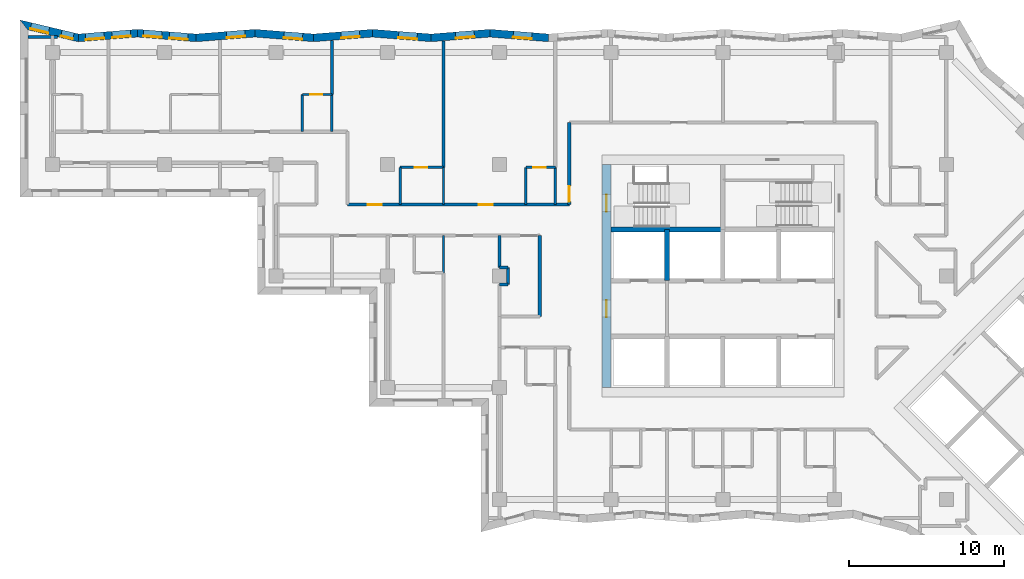
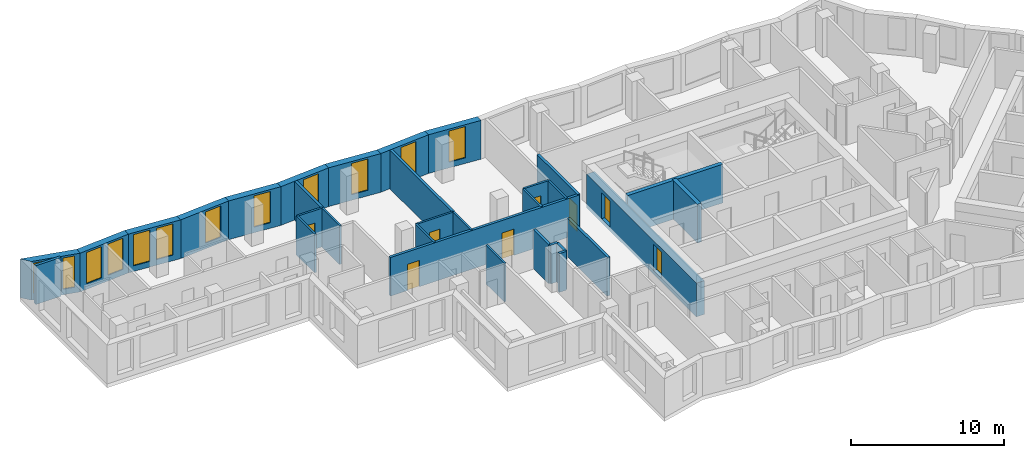
# One storey, part 5 of 12: 32 walls, 12 windows, 8 doors, 20 openings.
"""IFC4 building model written with IfcOpenShell, lengths in metres."""

from ifc_helpers import new_model, si_unit, direction, frame, frame_2d, origin, place, context, subcontext, project, spatial, polyline, rectangle, outline, extrude, material, layer, layer_set, type_object, element, fill, save


model = new_model("IFC4")

# Units and contexts
model_context = context("Model", 3, precision=1e-05, world=origin(), true_north=direction((0.0, 1.0)))
body_context = subcontext(model_context, "Body", "Model", "MODEL_VIEW")
ifc_project = project(units=[si_unit("LENGTHUNIT", "METRE"), si_unit("AREAUNIT", "SQUARE_METRE"), si_unit("VOLUMEUNIT", "CUBIC_METRE"), si_unit("PLANEANGLEUNIT", "RADIAN"), si_unit("MASSUNIT", "GRAM", prefix="KILO")], contexts=[model_context])

# Site, building, storey
site_placement = place(None, origin())
site = spatial("IfcSite", under=ifc_project, at=site_placement, CompositionType="ELEMENT")
building_placement = place(site_placement, origin())
building = spatial("IfcBuilding", under=site, at=building_placement, Name="Windrow Commons", CompositionType="ELEMENT")
storey_placement = place(building_placement, frame((0.0, 0.0, 135.4)))
storey = spatial("IfcBuildingStorey", under=building, at=storey_placement, Name="L36", CompositionType="ELEMENT", Elevation=135.4)

# Wall, opening, window
ifc_material_1 = material(Name="Brick masonry, red clay brick", Category="masonry")
ifc_layer_1 = layer(ifc_material_1, 0.5)
ifc_layer_set_1 = layer_set([ifc_layer_1], Name="Brick facade wall 500")
wall_type_1 = type_object("IfcWallType", Name="Brick facade wall 500", PredefinedType="SOLIDWALL", material=ifc_layer_set_1)
wall_1_placement = place(storey_placement, frame((53.5706, 72.9492, 0.0), z_axis=(0.0, 0.0, 1.0), x_axis=(-0.9968747806, 0.0789979222, 0.0)))
wall_1 = element("IfcWall", 1, at=wall_1_placement, inside=storey, type_object=wall_type_1, Name="Brick facade wall L36 26", PredefinedType="SOLIDWALL", context=body_context, shape_type="SweptSolid", body=[
    extrude(outline(polyline([(0.0198, -0.25), (3.8173, -0.25), (3.7777, 0.25), (-0.0198, 0.25), (0.0198, -0.25)])), origin(), (0.0, 0.0, 1.0), 3.1),
])
opening_1_placement = place(wall_1_placement, frame((1.0903, 0.0, 0.45)))
opening_1 = element("IfcOpeningElement", 2, at=opening_1_placement, cuts=wall_1, Name="Opening W7E", PredefinedType="OPENING", context=body_context, shape_type="SweptSolid", body=[
    extrude(rectangle(XDim=1.2, YDim=2.5, at=frame_2d((0.6, 1.25))), frame((0.0, 0.26, 0.0), z_axis=(0.0, -1.0, 0.0), x_axis=(1.0, 0.0, 0.0)), (0.0, 0.0, 1.0), 0.52),
])
ifc_material_2 = material(Name="Clear float glass in anodised aluminium frame", Category="aluminium")
window_type_1 = type_object("IfcWindowType", Name="Window W7 notch 1200x2500", PartitioningType="SINGLE_PANEL", PredefinedType="WINDOW", material=ifc_material_2)
window_1_placement = place(opening_1_placement, origin())
window_1 = element("IfcWindow", 3, at=window_1_placement, inside=storey, type_object=window_type_1, Name="Window L36 26.1", OverallHeight=2.5, OverallWidth=1.2, PartitioningType="SINGLE_PANEL", PredefinedType="WINDOW", context=body_context, shape_type="SweptSolid", body=[
    extrude(rectangle(XDim=1.2, YDim=2.5, at=frame_2d((0.6, 1.25))), frame((0.0, 0.18, 0.0), z_axis=(0.0, -1.0, 0.0), x_axis=(1.0, 0.0, 0.0)), (0.0, 0.0, 1.0), 0.06),
])
fill(opening_1, window_1)

wall_2_placement = place(storey_placement, frame((49.7849, 73.2492, 0.0), z_axis=(0.0, 0.0, 1.0), x_axis=(-0.9968746163, -0.078999996, 0.0)))
wall_2 = element("IfcWall", 4, at=wall_2_placement, inside=storey, type_object=wall_type_1, Name="Brick facade wall L36 27", PredefinedType="SOLIDWALL", context=body_context, shape_type="SweptSolid", body=[
    extrude(outline(polyline([(-0.0198, -0.25), (3.7777, -0.25), (3.8173, 0.25), (0.0198, 0.25), (-0.0198, -0.25)])), origin(), (0.0, 0.0, 1.0), 3.1),
])
opening_2_placement = place(wall_2_placement, frame((1.0071, 0.0, 0.45)))
opening_2 = element("IfcOpeningElement", 5, at=opening_2_placement, cuts=wall_2, Name="Opening W7E", PredefinedType="OPENING", context=body_context, shape_type="SweptSolid", body=[
    extrude(rectangle(XDim=1.2, YDim=2.5, at=frame_2d((0.6, 1.25))), frame((0.0, 0.26, 0.0), z_axis=(0.0, -1.0, 0.0), x_axis=(1.0, 0.0, 0.0)), (0.0, 0.0, 1.0), 0.52),
])
window_2_placement = place(opening_2_placement, origin())
window_2 = element("IfcWindow", 6, at=window_2_placement, inside=storey, type_object=window_type_1, Name="Window L36 27.1", OverallHeight=2.5, OverallWidth=1.2, PartitioningType="SINGLE_PANEL", PredefinedType="WINDOW", context=body_context, shape_type="SweptSolid", body=[
    extrude(rectangle(XDim=1.2, YDim=2.5, at=frame_2d((0.6, 1.25))), frame((0.0, 0.18, 0.0), z_axis=(0.0, -1.0, 0.0), x_axis=(1.0, 0.0, 0.0)), (0.0, 0.0, 1.0), 0.06),
])
fill(opening_2, window_2)

wall_3_placement = place(storey_placement, frame((45.9993, 72.9492, 0.0), z_axis=(0.0, 0.0, 1.0), x_axis=(-0.9968746163, 0.078999996, 0.0)))
wall_3 = element("IfcWall", 7, at=wall_3_placement, inside=storey, type_object=wall_type_1, Name="Brick facade wall L36 28", PredefinedType="SOLIDWALL", context=body_context, shape_type="SweptSolid", body=[
    extrude(outline(polyline([(0.0198, -0.25), (3.8173, -0.25), (3.7777, 0.25), (-0.0198, 0.25), (0.0198, -0.25)])), origin(), (0.0, 0.0, 1.0), 3.1),
])
opening_3_placement = place(wall_3_placement, frame((0.9041, 0.0, 0.45)))
opening_3 = element("IfcOpeningElement", 8, at=opening_3_placement, cuts=wall_3, Name="Opening W7E", PredefinedType="OPENING", context=body_context, shape_type="SweptSolid", body=[
    extrude(rectangle(XDim=1.2, YDim=2.5, at=frame_2d((0.6, 1.25))), frame((0.0, 0.26, 0.0), z_axis=(0.0, -1.0, 0.0), x_axis=(1.0, 0.0, 0.0)), (0.0, 0.0, 1.0), 0.52),
])
window_3_placement = place(opening_3_placement, origin())
window_3 = element("IfcWindow", 9, at=window_3_placement, inside=storey, type_object=window_type_1, Name="Window L36 28.1", OverallHeight=2.5, OverallWidth=1.2, PartitioningType="SINGLE_PANEL", PredefinedType="WINDOW", context=body_context, shape_type="SweptSolid", body=[
    extrude(rectangle(XDim=1.2, YDim=2.5, at=frame_2d((0.6, 1.25))), frame((0.0, 0.18, 0.0), z_axis=(0.0, -1.0, 0.0), x_axis=(1.0, 0.0, 0.0)), (0.0, 0.0, 1.0), 0.06),
])
fill(opening_3, window_3)

wall_4_placement = place(storey_placement, frame((42.2137, 73.2492, 0.0), z_axis=(0.0, 0.0, 1.0), x_axis=(-0.9968746163, -0.078999996, 0.0)))
wall_4 = element("IfcWall", 10, at=wall_4_placement, inside=storey, type_object=wall_type_1, Name="Brick facade wall L36 29", PredefinedType="SOLIDWALL", context=body_context, shape_type="SweptSolid", body=[
    extrude(outline(polyline([(-0.0198, -0.25), (3.7777, -0.25), (3.8173, 0.25), (0.0198, 0.25), (-0.0198, -0.25)])), origin(), (0.0, 0.0, 1.0), 3.1),
])
opening_4_placement = place(wall_4_placement, frame((0.8209, 0.0, 0.45)))
opening_4 = element("IfcOpeningElement", 11, at=opening_4_placement, cuts=wall_4, Name="Opening W7E", PredefinedType="OPENING", context=body_context, shape_type="SweptSolid", body=[
    extrude(rectangle(XDim=1.2, YDim=2.5, at=frame_2d((0.6, 1.25))), frame((0.0, 0.26, 0.0), z_axis=(0.0, -1.0, 0.0), x_axis=(1.0, 0.0, 0.0)), (0.0, 0.0, 1.0), 0.52),
])
window_4_placement = place(opening_4_placement, origin())
window_4 = element("IfcWindow", 12, at=window_4_placement, inside=storey, type_object=window_type_1, Name="Window L36 29.1", OverallHeight=2.5, OverallWidth=1.2, PartitioningType="SINGLE_PANEL", PredefinedType="WINDOW", context=body_context, shape_type="SweptSolid", body=[
    extrude(rectangle(XDim=1.2, YDim=2.5, at=frame_2d((0.6, 1.25))), frame((0.0, 0.18, 0.0), z_axis=(0.0, -1.0, 0.0), x_axis=(1.0, 0.0, 0.0)), (0.0, 0.0, 1.0), 0.06),
])
fill(opening_4, window_4)

wall_5_placement = place(storey_placement, frame((38.4281, 72.9492, 0.0), z_axis=(0.0, 0.0, 1.0), x_axis=(-0.9968746163, 0.078999996, 0.0)))
wall_5 = element("IfcWall", 13, at=wall_5_placement, inside=storey, type_object=wall_type_1, Name="Brick facade wall L36 30", PredefinedType="SOLIDWALL", context=body_context, shape_type="SweptSolid", body=[
    extrude(outline(polyline([(0.0198, -0.25), (3.8173, -0.25), (3.7777, 0.25), (-0.0198, 0.25), (0.0198, -0.25)])), origin(), (0.0, 0.0, 1.0), 3.1),
])
opening_5_placement = place(wall_5_placement, frame((0.7179, 0.0, 0.45)))
opening_5 = element("IfcOpeningElement", 14, at=opening_5_placement, cuts=wall_5, Name="Opening W7E", PredefinedType="OPENING", context=body_context, shape_type="SweptSolid", body=[
    extrude(rectangle(XDim=1.2, YDim=2.5, at=frame_2d((0.6, 1.25))), frame((0.0, 0.26, 0.0), z_axis=(0.0, -1.0, 0.0), x_axis=(1.0, 0.0, 0.0)), (0.0, 0.0, 1.0), 0.52),
])
window_5_placement = place(opening_5_placement, origin())
window_5 = element("IfcWindow", 15, at=window_5_placement, inside=storey, type_object=window_type_1, Name="Window L36 30.1", OverallHeight=2.5, OverallWidth=1.2, PartitioningType="SINGLE_PANEL", PredefinedType="WINDOW", context=body_context, shape_type="SweptSolid", body=[
    extrude(rectangle(XDim=1.2, YDim=2.5, at=frame_2d((0.6, 1.25))), frame((0.0, 0.18, 0.0), z_axis=(0.0, -1.0, 0.0), x_axis=(1.0, 0.0, 0.0)), (0.0, 0.0, 1.0), 0.06),
])
fill(opening_5, window_5)

wall_6_placement = place(storey_placement, frame((34.6425, 73.2492, 0.0), z_axis=(0.0, 0.0, 1.0), x_axis=(-0.9968746163, -0.078999996, 0.0)))
wall_6 = element("IfcWall", 16, at=wall_6_placement, inside=storey, type_object=wall_type_1, Name="Brick facade wall L36 31", PredefinedType="SOLIDWALL", context=body_context, shape_type="SweptSolid", body=[
    extrude(outline(polyline([(-0.0198, -0.25), (3.7777, -0.25), (3.8173, 0.25), (0.0198, 0.25), (-0.0198, -0.25)])), origin(), (0.0, 0.0, 1.0), 3.1),
])
opening_6_placement = place(wall_6_placement, frame((0.6347, 0.0, 0.45)))
opening_6 = element("IfcOpeningElement", 17, at=opening_6_placement, cuts=wall_6, Name="Opening W7E", PredefinedType="OPENING", context=body_context, shape_type="SweptSolid", body=[
    extrude(rectangle(XDim=1.2, YDim=2.5, at=frame_2d((0.6, 1.25))), frame((0.0, 0.26, 0.0), z_axis=(0.0, -1.0, 0.0), x_axis=(1.0, 0.0, 0.0)), (0.0, 0.0, 1.0), 0.52),
])
window_6_placement = place(opening_6_placement, origin())
window_6 = element("IfcWindow", 18, at=window_6_placement, inside=storey, type_object=window_type_1, Name="Window L36 31.1", OverallHeight=2.5, OverallWidth=1.2, PartitioningType="SINGLE_PANEL", PredefinedType="WINDOW", context=body_context, shape_type="SweptSolid", body=[
    extrude(rectangle(XDim=1.2, YDim=2.5, at=frame_2d((0.6, 1.25))), frame((0.0, 0.18, 0.0), z_axis=(0.0, -1.0, 0.0), x_axis=(1.0, 0.0, 0.0)), (0.0, 0.0, 1.0), 0.06),
])
fill(opening_6, window_6)

# Wall, openings, windows
wall_7_placement = place(storey_placement, frame((30.8569, 72.9492, 0.0), z_axis=(0.0, 0.0, 1.0), x_axis=(-0.9968747806, 0.0789979222, 0.0)))
wall_7 = element("IfcWall", 19, at=wall_7_placement, inside=storey, type_object=wall_type_1, Name="Brick facade wall L36 32", PredefinedType="SOLIDWALL", context=body_context, shape_type="SweptSolid", body=[
    extrude(outline(polyline([(0.0198, -0.25), (3.8173, -0.25), (3.7777, 0.25), (-0.0198, 0.25), (0.0198, -0.25)])), origin(), (0.0, 0.0, 1.0), 3.1),
])
opening_7_placement = place(wall_7_placement, frame((0.5317, 0.0, 0.45)))
opening_7 = element("IfcOpeningElement", 20, at=opening_7_placement, cuts=wall_7, Name="Opening W7E", PredefinedType="OPENING", context=body_context, shape_type="SweptSolid", body=[
    extrude(rectangle(XDim=1.2, YDim=2.5, at=frame_2d((0.6, 1.25))), frame((0.0, 0.26, 0.0), z_axis=(0.0, -1.0, 0.0), x_axis=(1.0, 0.0, 0.0)), (0.0, 0.0, 1.0), 0.52),
])
opening_8_placement = place(wall_7_placement, frame((2.2205, 0.0, 0.45)))
opening_8 = element("IfcOpeningElement", 21, at=opening_8_placement, cuts=wall_7, Name="Opening W7E", PredefinedType="OPENING", context=body_context, shape_type="SweptSolid", body=[
    extrude(rectangle(XDim=1.2, YDim=2.5, at=frame_2d((0.6, 1.25))), frame((0.0, 0.26, 0.0), z_axis=(0.0, -1.0, 0.0), x_axis=(1.0, 0.0, 0.0)), (0.0, 0.0, 1.0), 0.52),
])
window_7_placement = place(opening_7_placement, origin())
window_7 = element("IfcWindow", 22, at=window_7_placement, inside=storey, type_object=window_type_1, Name="Window L36 32.1", OverallHeight=2.5, OverallWidth=1.2, PartitioningType="SINGLE_PANEL", PredefinedType="WINDOW", context=body_context, shape_type="SweptSolid", body=[
    extrude(rectangle(XDim=1.2, YDim=2.5, at=frame_2d((0.6, 1.25))), frame((0.0, 0.18, 0.0), z_axis=(0.0, -1.0, 0.0), x_axis=(1.0, 0.0, 0.0)), (0.0, 0.0, 1.0), 0.06),
])
fill(opening_7, window_7)
window_8_placement = place(opening_8_placement, origin())
window_8 = element("IfcWindow", 23, at=window_8_placement, inside=storey, type_object=window_type_1, Name="Window L36 32.2", OverallHeight=2.5, OverallWidth=1.2, PartitioningType="SINGLE_PANEL", PredefinedType="WINDOW", context=body_context, shape_type="SweptSolid", body=[
    extrude(rectangle(XDim=1.2, YDim=2.5, at=frame_2d((0.6, 1.25))), frame((0.0, 0.18, 0.0), z_axis=(0.0, -1.0, 0.0), x_axis=(1.0, 0.0, 0.0)), (0.0, 0.0, 1.0), 0.06),
])
fill(opening_8, window_8)

wall_8_placement = place(storey_placement, frame((27.0712, 73.2492, 0.0), z_axis=(0.0, 0.0, 1.0), x_axis=(-0.9968755515, -0.0789881945, 0.0)))
wall_8 = element("IfcWall", 24, at=wall_8_placement, inside=storey, type_object=wall_type_1, Name="Brick facade wall L36 33", PredefinedType="SOLIDWALL", context=body_context, shape_type="SweptSolid", body=[
    extrude(outline(polyline([(-0.0198, -0.25), (3.7777, -0.25), (3.8564, 0.25), (0.0198, 0.25), (-0.0198, -0.25)])), origin(), (0.0, 0.0, 1.0), 3.1),
])
opening_9_placement = place(wall_8_placement, frame((0.4485, 0.0, 0.45)))
opening_9 = element("IfcOpeningElement", 25, at=opening_9_placement, cuts=wall_8, Name="Opening W7E", PredefinedType="OPENING", context=body_context, shape_type="SweptSolid", body=[
    extrude(rectangle(XDim=1.2, YDim=2.5, at=frame_2d((0.6, 1.25))), frame((0.0, 0.26, 0.0), z_axis=(0.0, -1.0, 0.0), x_axis=(1.0, 0.0, 0.0)), (0.0, 0.0, 1.0), 0.52),
])
opening_10_placement = place(wall_8_placement, frame((2.1471, 0.0, 0.45)))
opening_10 = element("IfcOpeningElement", 26, at=opening_10_placement, cuts=wall_8, Name="Opening W7E", PredefinedType="OPENING", context=body_context, shape_type="SweptSolid", body=[
    extrude(rectangle(XDim=1.2, YDim=2.5, at=frame_2d((0.6, 1.25))), frame((0.0, 0.26, 0.0), z_axis=(0.0, -1.0, 0.0), x_axis=(1.0, 0.0, 0.0)), (0.0, 0.0, 1.0), 0.52),
])
window_9_placement = place(opening_9_placement, origin())
window_9 = element("IfcWindow", 27, at=window_9_placement, inside=storey, type_object=window_type_1, Name="Window L36 33.1", OverallHeight=2.5, OverallWidth=1.2, PartitioningType="SINGLE_PANEL", PredefinedType="WINDOW", context=body_context, shape_type="SweptSolid", body=[
    extrude(rectangle(XDim=1.2, YDim=2.5, at=frame_2d((0.6, 1.25))), frame((0.0, 0.18, 0.0), z_axis=(0.0, -1.0, 0.0), x_axis=(1.0, 0.0, 0.0)), (0.0, 0.0, 1.0), 0.06),
])
fill(opening_9, window_9)
window_10_placement = place(opening_10_placement, origin())
window_10 = element("IfcWindow", 28, at=window_10_placement, inside=storey, type_object=window_type_1, Name="Window L36 33.2", OverallHeight=2.5, OverallWidth=1.2, PartitioningType="SINGLE_PANEL", PredefinedType="WINDOW", context=body_context, shape_type="SweptSolid", body=[
    extrude(rectangle(XDim=1.2, YDim=2.5, at=frame_2d((0.6, 1.25))), frame((0.0, 0.18, 0.0), z_axis=(0.0, -1.0, 0.0), x_axis=(1.0, 0.0, 0.0)), (0.0, 0.0, 1.0), 0.06),
])
fill(opening_10, window_10)

wall_9_placement = place(storey_placement, frame((23.2661, 72.9477, 0.0), z_axis=(0.0, 0.0, 1.0), x_axis=(-0.9728851289, 0.2312888368, 0.0)))
wall_9 = element("IfcWall", 29, at=wall_9_placement, inside=storey, type_object=wall_type_1, Name="Brick facade wall L36 34", PredefinedType="SOLIDWALL", context=body_context, shape_type="SweptSolid", body=[
    extrude(outline(polyline([(0.0394, -0.25), (3.9305, -0.25), (3.2977, 0.25), (-0.0394, 0.25), (0.0394, -0.25)])), origin(), (0.0, 0.0, 1.0), 3.1),
])
opening_11_placement = place(wall_9_placement, frame((0.338, 0.0, 0.45)))
opening_11 = element("IfcOpeningElement", 30, at=opening_11_placement, cuts=wall_9, Name="Opening W1N", PredefinedType="OPENING", context=body_context, shape_type="SweptSolid", body=[
    extrude(rectangle(XDim=0.8, YDim=2.5, at=frame_2d((0.4, 1.25))), frame((0.0, 0.26, 0.0), z_axis=(0.0, -1.0, 0.0), x_axis=(1.0, 0.0, 0.0)), (0.0, 0.0, 1.0), 0.52),
])
opening_12_placement = place(wall_9_placement, frame((1.9586, 0.0, 0.5)))
opening_12 = element("IfcOpeningElement", 31, at=opening_12_placement, cuts=wall_9, Name="Opening W7D", PredefinedType="OPENING", context=body_context, shape_type="SweptSolid", body=[
    extrude(rectangle(XDim=1.2, YDim=2.45, at=frame_2d((0.6, 1.225))), frame((0.0, 0.26, 0.0), z_axis=(0.0, -1.0, 0.0), x_axis=(1.0, 0.0, 0.0)), (0.0, 0.0, 1.0), 0.52),
])
ifc_material_3 = material(Name="Clear float glass in anodised aluminium frame", Category="aluminium")
window_type_2 = type_object("IfcWindowType", Name="Window W1N slit 800x2500", PartitioningType="SINGLE_PANEL", PredefinedType="WINDOW", material=ifc_material_3)
window_11_placement = place(opening_11_placement, origin())
window_11 = element("IfcWindow", 32, at=window_11_placement, inside=storey, type_object=window_type_2, Name="Window L36 34.1A", OverallHeight=2.5, OverallWidth=0.8, PartitioningType="SINGLE_PANEL", PredefinedType="WINDOW", context=body_context, shape_type="SweptSolid", body=[
    extrude(rectangle(XDim=0.8, YDim=2.5, at=frame_2d((0.4, 1.25))), frame((0.0, 0.18, 0.0), z_axis=(0.0, -1.0, 0.0), x_axis=(1.0, 0.0, 0.0)), (0.0, 0.0, 1.0), 0.06),
])
fill(opening_11, window_11)
ifc_material_4 = material(Name="Clear float glass in anodised aluminium frame", Category="aluminium")
window_type_3 = type_object("IfcWindowType", Name="Window W7 notch 1200x2450", PartitioningType="SINGLE_PANEL", PredefinedType="WINDOW", material=ifc_material_4)
window_12_placement = place(opening_12_placement, origin())
window_12 = element("IfcWindow", 33, at=window_12_placement, inside=storey, type_object=window_type_3, Name="Window L36 34.1B", OverallHeight=2.45, OverallWidth=1.2, PartitioningType="SINGLE_PANEL", PredefinedType="WINDOW", context=body_context, shape_type="SweptSolid", body=[
    extrude(rectangle(XDim=1.2, YDim=2.45, at=frame_2d((0.6, 1.225))), frame((0.0, 0.18, 0.0), z_axis=(0.0, -1.0, 0.0), x_axis=(1.0, 0.0, 0.0)), (0.0, 0.0, 1.0), 0.06),
])
fill(opening_12, window_12)

# Wall, openings, doors
ifc_material_5 = material(Name="Blockwork partition", Category="masonry")
ifc_layer_2 = layer(ifc_material_5, 0.2)
ifc_layer_set_2 = layer_set([ifc_layer_2], Name="IW-CORRIDOR-200")
wall_type_2 = type_object("IfcWallType", Name="IW-CORRIDOR-200", PredefinedType="PARTITIONING", material=ifc_layer_set_2)
wall_10_placement = place(storey_placement, frame((40.602, 62.2, 0.0), z_axis=(0.0, 0.0, 1.0), x_axis=(1.0, 0.0, 0.0)))
wall_10 = element("IfcWall", 34, at=wall_10_placement, inside=storey, type_object=wall_type_2, Name="W-L36-W004", PredefinedType="PARTITIONING", context=body_context, shape_type="SweptSolid", body=[
    extrude(rectangle(XDim=14.298, YDim=0.2, at=frame_2d((7.149, 0.0))), origin(), (0.0, 0.0, 1.0), 3.1),
])
opening_13_placement = place(wall_10_placement, frame((1.3063, 0.0, 0.0)))
opening_13 = element("IfcOpeningElement", 35, at=opening_13_placement, cuts=wall_10, Name="Opening D109F", PredefinedType="OPENING", context=body_context, shape_type="SweptSolid", body=[
    extrude(rectangle(XDim=0.9, YDim=2.1, at=frame_2d((0.45, 1.05))), frame((0.0, 0.11, 0.0), z_axis=(0.0, -1.0, 0.0), x_axis=(1.0, 0.0, 0.0)), (0.0, 0.0, 1.0), 0.22),
])
opening_14_placement = place(wall_10_placement, frame((8.4546, 0.0, 0.0)))
opening_14 = element("IfcOpeningElement", 36, at=opening_14_placement, cuts=wall_10, Name="Opening D109F", PredefinedType="OPENING", context=body_context, shape_type="SweptSolid", body=[
    extrude(rectangle(XDim=0.9, YDim=2.1, at=frame_2d((0.45, 1.05))), frame((0.0, 0.11, 0.0), z_axis=(0.0, -1.0, 0.0), x_axis=(1.0, 0.0, 0.0)), (0.0, 0.0, 1.0), 0.22),
])
ifc_material_6 = material(Name="Timber door leaf", Category="wood")
door_type_1 = type_object("IfcDoorType", Name="DT-BEDROOM-900", OperationType="SINGLE_SWING_LEFT", PredefinedType="DOOR", material=ifc_material_6)
door_1_placement = place(opening_13_placement, origin())
door_1 = element("IfcDoor", 37, at=door_1_placement, inside=storey, type_object=door_type_1, Name="D-L36-D015", OperationType="SINGLE_SWING_LEFT", OverallHeight=2.1, OverallWidth=0.9, PredefinedType="DOOR", context=body_context, shape_type="SweptSolid", body=[
    extrude(rectangle(XDim=0.9, YDim=2.1, at=frame_2d((0.45, 1.05))), frame((0.0, 0.025, 0.0), z_axis=(0.0, -1.0, 0.0), x_axis=(1.0, 0.0, 0.0)), (0.0, 0.0, 1.0), 0.05),
])
fill(opening_13, door_1)
door_2_placement = place(opening_14_placement, origin())
door_2 = element("IfcDoor", 38, at=door_2_placement, inside=storey, type_object=door_type_1, Name="D-L36-D017", OperationType="SINGLE_SWING_LEFT", OverallHeight=2.1, OverallWidth=0.9, PredefinedType="DOOR", context=body_context, shape_type="SweptSolid", body=[
    extrude(rectangle(XDim=0.9, YDim=2.1, at=frame_2d((0.45, 1.05))), frame((0.0, 0.025, 0.0), z_axis=(0.0, -1.0, 0.0), x_axis=(1.0, 0.0, 0.0)), (0.0, 0.0, 1.0), 0.05),
])
fill(opening_14, door_2)

# Wall, opening, door
wall_11_placement = place(storey_placement, frame((54.9, 62.202, 0.0), z_axis=(0.0, 0.0, 1.0), x_axis=(0.0, 1.0, 0.0)))
wall_11 = element("IfcWall", 39, at=wall_11_placement, inside=storey, type_object=wall_type_2, Name="W-L36-W032", PredefinedType="PARTITIONING", context=body_context, shape_type="SweptSolid", body=[
    extrude(rectangle(XDim=5.298, YDim=0.2, at=frame_2d((2.649, 0.0))), origin(), (0.0, 0.0, 1.0), 3.1),
])
opening_15_placement = place(wall_11_placement, frame((0.1917, 0.0, 0.0)))
opening_15 = element("IfcOpeningElement", 40, at=opening_15_placement, cuts=wall_11, Name="Opening D310F", PredefinedType="OPENING", context=body_context, shape_type="SweptSolid", body=[
    extrude(rectangle(XDim=1.0, YDim=2.1, at=frame_2d((0.5, 1.05))), frame((0.0, 0.11, 0.0), z_axis=(0.0, -1.0, 0.0), x_axis=(1.0, 0.0, 0.0)), (0.0, 0.0, 1.0), 0.22),
])
ifc_material_7 = material(Name="Timber door leaf", Category="wood")
door_type_2 = type_object("IfcDoorType", Name="DT-AMENITY-1000", OperationType="SINGLE_SWING_LEFT", PredefinedType="DOOR", material=ifc_material_7)
door_3_placement = place(opening_15_placement, origin())
door_3 = element("IfcDoor", 41, at=door_3_placement, inside=storey, type_object=door_type_2, Name="D-L36-D019", OperationType="SINGLE_SWING_LEFT", OverallHeight=2.1, OverallWidth=1.0, PredefinedType="DOOR", context=body_context, shape_type="SweptSolid", body=[
    extrude(rectangle(XDim=1.0, YDim=2.1, at=frame_2d((0.5, 1.05))), frame((0.0, 0.025, 0.0), z_axis=(0.0, -1.0, 0.0), x_axis=(1.0, 0.0, 0.0)), (0.0, 0.0, 1.0), 0.05),
])
fill(opening_15, door_3)

# Wall
wall_12_placement = place(storey_placement, frame((53.0, 55.002, 0.0), z_axis=(0.0, 0.0, 1.0), x_axis=(0.0, 1.0, 0.0)))
element("IfcWall", 42, at=wall_12_placement, inside=storey, type_object=wall_type_2, Name="W-L36-W033", PredefinedType="PARTITIONING", context=body_context, shape_type="SweptSolid", body=[
    extrude(rectangle(XDim=5.198, YDim=0.2, at=frame_2d((2.599, 0.0))), origin(), (0.0, 0.0, 1.0), 3.1),
])

# Wall, opening, door
ifc_material_8 = material(Name="Blockwork partition", Category="masonry")
ifc_layer_3 = layer(ifc_material_8, 0.15)
ifc_layer_set_3 = layer_set([ifc_layer_3], Name="IW-ENSUITE-150")
wall_type_3 = type_object("IfcWallType", Name="IW-ENSUITE-150", PredefinedType="PARTITIONING", material=ifc_layer_set_3)
wall_13_placement = place(storey_placement, frame((44.0, 64.6, 0.0), z_axis=(0.0, 0.0, 1.0), x_axis=(1.0, 0.0, 0.0)))
wall_13 = element("IfcWall", 43, at=wall_13_placement, inside=storey, type_object=wall_type_3, Name="W-L36-W054", PredefinedType="PARTITIONING", context=body_context, shape_type="SweptSolid", body=[
    extrude(rectangle(XDim=2.8, YDim=0.15, at=frame_2d((1.4, 0.0))), origin(), (0.0, 0.0, 1.0), 3.1),
])
opening_16_placement = place(wall_13_placement, frame((0.94, 0.0, 0.0)))
opening_16 = element("IfcOpeningElement", 44, at=opening_16_placement, cuts=wall_13, Name="Opening D208N", PredefinedType="OPENING", context=body_context, shape_type="SweptSolid", body=[
    extrude(rectangle(XDim=0.8, YDim=2.1, at=frame_2d((0.4, 1.05))), frame((0.0, 0.085, 0.0), z_axis=(0.0, -1.0, 0.0), x_axis=(1.0, 0.0, 0.0)), (0.0, 0.0, 1.0), 0.17),
])
ifc_material_9 = material(Name="Timber door leaf", Category="wood")
door_type_3 = type_object("IfcDoorType", Name="DT-ENSUITE-800", OperationType="SINGLE_SWING_LEFT", PredefinedType="DOOR", material=ifc_material_9)
door_4_placement = place(opening_16_placement, origin())
door_4 = element("IfcDoor", 45, at=door_4_placement, inside=storey, type_object=door_type_3, Name="D-L36-D016", OperationType="SINGLE_SWING_RIGHT", OverallHeight=2.1, OverallWidth=0.8, PredefinedType="DOOR", context=body_context, shape_type="SweptSolid", body=[
    extrude(rectangle(XDim=0.8, YDim=2.1, at=frame_2d((0.4, 1.05))), frame((0.0, 0.025, 0.0), z_axis=(0.0, -1.0, 0.0), x_axis=(1.0, 0.0, 0.0)), (0.0, 0.0, 1.0), 0.05),
])
fill(opening_16, door_4)

# Walls
for number, where, z_axis, x_axis, name in (
    (46, (46.8, 57.8, 0.0), (0.0, 0.0, 1.0), (0.0, 1.0, 0.0), "W-L36-W066"),
    (47, (37.7, 66.9, 0.0), (0.0, 0.0, 1.0), (0.0, 1.0, 0.0), "W-L36-W080"),
    (48, (39.6, 66.9, 0.0), (0.0, 0.0, 1.0), (0.0, 1.0, 0.0), "W-L36-W081"),
    (49, (44.0, 62.2, 0.0), (0.0, 0.0, 1.0), (0.0, 1.0, 0.0), "W-L36-W082"),
    (50, (46.8, 62.2, 0.0), (0.0, 0.0, 1.0), (0.0, 1.0, 0.0), "W-L36-W083"),
    (51, (52.1, 62.2, 0.0), (0.0, 0.0, 1.0), (0.0, 1.0, 0.0), "W-L36-W084"),
    (52, (54.0, 62.2, 0.0), (0.0, 0.0, 1.0), (0.0, 1.0, 0.0), "W-L36-W085"),
):
    element("IfcWall", number, at=place(storey_placement, frame(where, z_axis=z_axis, x_axis=x_axis)), inside=storey, type_object=wall_type_3, Name=name, PredefinedType="PARTITIONING", context=body_context, shape_type="SweptSolid", body=[
        extrude(rectangle(XDim=2.4, YDim=0.15, at=frame_2d((1.2, 0.0))), origin(), (0.0, 0.0, 1.0), 3.1),
    ])

# Wall, opening, door
wall_14_placement = place(storey_placement, frame((37.7, 69.3, 0.0), z_axis=(0.0, 0.0, 1.0), x_axis=(1.0, 0.0, 0.0)))
wall_14 = element("IfcWall", 53, at=wall_14_placement, inside=storey, type_object=wall_type_3, Name="W-L36-W120", PredefinedType="PARTITIONING", context=body_context, shape_type="SweptSolid", body=[
    extrude(rectangle(XDim=1.9, YDim=0.15, at=frame_2d((0.95, 0.0))), origin(), (0.0, 0.0, 1.0), 3.1),
])
opening_17_placement = place(wall_14_placement, frame((0.4931, 0.0, 0.0)))
opening_17 = element("IfcOpeningElement", 54, at=opening_17_placement, cuts=wall_14, Name="Opening D208N", PredefinedType="OPENING", context=body_context, shape_type="SweptSolid", body=[
    extrude(rectangle(XDim=0.8, YDim=2.1, at=frame_2d((0.4, 1.05))), frame((0.0, 0.085, 0.0), z_axis=(0.0, -1.0, 0.0), x_axis=(1.0, 0.0, 0.0)), (0.0, 0.0, 1.0), 0.17),
])
door_5_placement = place(opening_17_placement, origin())
door_5 = element("IfcDoor", 55, at=door_5_placement, inside=storey, type_object=door_type_3, Name="D-L36-D008", OperationType="SINGLE_SWING_RIGHT", OverallHeight=2.1, OverallWidth=0.8, PredefinedType="DOOR", context=body_context, shape_type="SweptSolid", body=[
    extrude(rectangle(XDim=0.8, YDim=2.1, at=frame_2d((0.4, 1.05))), frame((0.0, 0.025, 0.0), z_axis=(0.0, -1.0, 0.0), x_axis=(1.0, 0.0, 0.0)), (0.0, 0.0, 1.0), 0.05),
])
fill(opening_17, door_5)

wall_15_placement = place(storey_placement, frame((52.1, 64.6, 0.0), z_axis=(0.0, 0.0, 1.0), x_axis=(1.0, 0.0, 0.0)))
wall_15 = element("IfcWall", 56, at=wall_15_placement, inside=storey, type_object=wall_type_3, Name="W-L36-W121", PredefinedType="PARTITIONING", context=body_context, shape_type="SweptSolid", body=[
    extrude(rectangle(XDim=1.9, YDim=0.15, at=frame_2d((0.95, 0.0))), origin(), (0.0, 0.0, 1.0), 3.1),
])
opening_18_placement = place(wall_15_placement, frame((0.4931, 0.0, 0.0)))
opening_18 = element("IfcOpeningElement", 57, at=opening_18_placement, cuts=wall_15, Name="Opening D208N", PredefinedType="OPENING", context=body_context, shape_type="SweptSolid", body=[
    extrude(rectangle(XDim=0.8, YDim=2.1, at=frame_2d((0.4, 1.05))), frame((0.0, 0.085, 0.0), z_axis=(0.0, -1.0, 0.0), x_axis=(1.0, 0.0, 0.0)), (0.0, 0.0, 1.0), 0.17),
])
door_6_placement = place(opening_18_placement, origin())
door_6 = element("IfcDoor", 58, at=door_6_placement, inside=storey, type_object=door_type_3, Name="D-L36-D018", OperationType="SINGLE_SWING_RIGHT", OverallHeight=2.1, OverallWidth=0.8, PredefinedType="DOOR", context=body_context, shape_type="SweptSolid", body=[
    extrude(rectangle(XDim=0.8, YDim=2.1, at=frame_2d((0.4, 1.05))), frame((0.0, 0.025, 0.0), z_axis=(0.0, -1.0, 0.0), x_axis=(1.0, 0.0, 0.0)), (0.0, 0.0, 1.0), 0.05),
])
fill(opening_18, door_6)

# Walls
ifc_material_10 = material(Name="Blockwork partition", Category="masonry")
ifc_layer_4 = layer(ifc_material_10, 0.2)
ifc_layer_set_4 = layer_set([ifc_layer_4], Name="IW-PARTY-200")
wall_type_4 = type_object("IfcWallType", Name="IW-PARTY-200", PredefinedType="PARTITIONING", material=ifc_layer_set_4)
wall_16_placement = place(storey_placement, frame((46.8, 64.6, 0.0), z_axis=(0.0, 0.0, 1.0), x_axis=(0.0, 1.0, 0.0)))
element("IfcWall", 59, at=wall_16_placement, inside=storey, type_object=wall_type_4, Name="W-L36-W016", PredefinedType="PARTITIONING", context=body_context, shape_type="SweptSolid", body=[
    extrude(rectangle(XDim=8.1619, YDim=0.2, at=frame_2d((4.0809, 0.0))), origin(), (0.0, 0.0, 1.0), 3.1),
])
wall_17_placement = place(storey_placement, frame((39.6, 69.3, 0.0), z_axis=(0.0, 0.0, 1.0), x_axis=(0.0, 1.0, 0.0)))
element("IfcWall", 60, at=wall_17_placement, inside=storey, type_object=wall_type_4, Name="W-L36-W048", PredefinedType="PARTITIONING", context=body_context, shape_type="SweptSolid", body=[
    extrude(rectangle(XDim=3.4913, YDim=0.2, at=frame_2d((1.7456, 0.0))), origin(), (0.0, 0.0, 1.0), 3.1),
])
wall_18_placement = place(storey_placement, frame((50.4, 58.156, 0.0), z_axis=(0.0, 0.0, 1.0), x_axis=(0.0, 1.0, 0.0)))
element("IfcWall", 61, at=wall_18_placement, inside=storey, type_object=wall_type_4, Name="W-L36-W103", PredefinedType="PARTITIONING", context=body_context, shape_type="SweptSolid", body=[
    extrude(rectangle(XDim=2.044, YDim=0.2, at=frame_2d((1.022, 0.0))), origin(), (0.0, 0.0, 1.0), 3.1),
])
wall_19_placement = place(storey_placement, frame((20.0, 73.0, 0.0), z_axis=(0.0, 0.0, 1.0), x_axis=(1.0, 0.0, 0.0)))
element("IfcWall", 62, at=wall_19_placement, inside=storey, type_object=wall_type_4, Name="W-L36-W128", PredefinedType="PARTITIONING", context=body_context, shape_type="SweptSolid", body=[
    extrude(rectangle(XDim=1.9151, YDim=0.2, at=frame_2d((0.9576, 0.0))), origin(), (0.0, 0.0, 1.0), 3.1),
])
wall_20_placement = place(storey_placement, frame((50.95, 57.044, 0.0), z_axis=(0.0, 0.0, 1.0), x_axis=(0.0, 1.0, 0.0)))
element("IfcWall", 63, at=wall_20_placement, inside=storey, type_object=wall_type_4, Name="W-L36-W144", PredefinedType="PARTITIONING", context=body_context, shape_type="SweptSolid", body=[
    extrude(rectangle(XDim=1.112, YDim=0.2, at=frame_2d((0.556, 0.0))), origin(), (0.0, 0.0, 1.0), 3.1),
])
for number, where, z_axis, x_axis, name in (
    (64, (50.4, 57.04, 0.0), (0.0, 0.0, 1.0), (1.0, 0.0, 0.0), "W-L36-W161"),
    (65, (50.4, 58.16, 0.0), (0.0, 0.0, 1.0), (1.0, 0.0, 0.0), "W-L36-W162"),
):
    element("IfcWall", number, at=place(storey_placement, frame(where, z_axis=z_axis, x_axis=x_axis)), inside=storey, type_object=wall_type_4, Name=name, PredefinedType="PARTITIONING", context=body_context, shape_type="SweptSolid", body=[
        extrude(rectangle(XDim=0.55, YDim=0.2, at=frame_2d((0.275, 0.0))), origin(), (0.0, 0.0, 1.0), 3.1),
    ])

# Wall, openings, doors
ifc_material_11 = material(Name="Concrete C50/60", Category="concrete")
ifc_layer_5 = layer(ifc_material_11, 0.6)
ifc_layer_set_5 = layer_set([ifc_layer_5], Name="RC CORE WALL 600 C50/60")
wall_type_5 = type_object("IfcWallType", Name="RC CORE WALL 600 C50/60", PredefinedType="SHEAR", material=ifc_layer_set_5)
wall_21_placement = place(storey_placement, frame((57.3, 50.4, -0.3), z_axis=(0.0, 0.0, 1.0), x_axis=(0.0, 1.0, 0.0)))
wall_21 = element("IfcWall", 66, at=wall_21_placement, inside=storey, type_object=wall_type_5, Name="Core A wall outer-W", PredefinedType="SHEAR", context=body_context, shape_type="SweptSolid", body=[
    extrude(rectangle(XDim=14.4, YDim=0.6, at=frame_2d((7.2, 0.0))), origin(), (0.0, 0.0, 1.0), 2.7),
])
opening_19_placement = place(wall_21_placement, frame((4.55, 0.0, 0.3)))
opening_19 = element("IfcOpeningElement", 67, at=opening_19_placement, cuts=wall_21, Name="Opening D6", PredefinedType="OPENING", context=body_context, shape_type="SweptSolid", body=[
    extrude(rectangle(XDim=1.1, YDim=2.1, at=frame_2d((0.55, 1.05))), frame((0.0, 0.31, 0.0), z_axis=(0.0, -1.0, 0.0), x_axis=(1.0, 0.0, 0.0)), (0.0, 0.0, 1.0), 0.62),
])
opening_20_placement = place(wall_21_placement, frame((11.35, 0.0, 0.3)))
opening_20 = element("IfcOpeningElement", 68, at=opening_20_placement, cuts=wall_21, Name="Opening D7", PredefinedType="OPENING", context=body_context, shape_type="SweptSolid", body=[
    extrude(rectangle(XDim=1.1, YDim=2.1, at=frame_2d((0.55, 1.05))), frame((0.0, 0.31, 0.0), z_axis=(0.0, -1.0, 0.0), x_axis=(1.0, 0.0, 0.0)), (0.0, 0.0, 1.0), 0.62),
])
ifc_material_12 = material(Name="Steel fire door leaf", Category="steel")
door_type_4 = type_object("IfcDoorType", Name="Core lobby door 1100", OperationType="SINGLE_SWING_LEFT", PredefinedType="DOOR", material=ifc_material_12)
door_7_placement = place(opening_19_placement, origin())
door_7 = element("IfcDoor", 69, at=door_7_placement, inside=storey, type_object=door_type_4, Name="Lift lobby door", OperationType="DOUBLE_DOOR_SINGLE_SWING", OverallHeight=2.1, OverallWidth=1.1, PredefinedType="DOOR", context=body_context, shape_type="SweptSolid", body=[
    extrude(rectangle(XDim=1.1, YDim=2.1, at=frame_2d((0.55, 1.05))), frame((0.0, 0.025, 0.0), z_axis=(0.0, -1.0, 0.0), x_axis=(1.0, 0.0, 0.0)), (0.0, 0.0, 1.0), 0.05),
])
fill(opening_19, door_7)
ifc_material_13 = material(Name="Steel fire door leaf", Category="steel")
door_type_5 = type_object("IfcDoorType", Name="Stair door 1100", OperationType="SINGLE_SWING_LEFT", PredefinedType="DOOR", material=ifc_material_13)
door_8_placement = place(opening_20_placement, origin())
door_8 = element("IfcDoor", 70, at=door_8_placement, inside=storey, type_object=door_type_5, Name="Stair door", OperationType="SINGLE_SWING_LEFT", OverallHeight=2.1, OverallWidth=1.1, PredefinedType="DOOR", context=body_context, shape_type="SweptSolid", body=[
    extrude(rectangle(XDim=1.1, YDim=2.1, at=frame_2d((0.55, 1.05))), frame((0.0, 0.025, 0.0), z_axis=(0.0, -1.0, 0.0), x_axis=(1.0, 0.0, 0.0)), (0.0, 0.0, 1.0), 0.05),
])
fill(opening_20, door_8)

# Walls
ifc_material_14 = material(Name="Concrete C50/60", Category="concrete")
ifc_layer_6 = layer(ifc_material_14, 0.3)
ifc_layer_set_6 = layer_set([ifc_layer_6], Name="RC SHAFT WALL 300 C50/60")
wall_type_6 = type_object("IfcWallType", Name="RC SHAFT WALL 300 C50/60", PredefinedType="SOLIDWALL", material=ifc_layer_set_6)
wall_22_placement = place(storey_placement, frame((61.2, 57.3, 0.0), z_axis=(0.0, 0.0, 1.0), x_axis=(0.0, 1.0, 0.0)))
element("IfcWall", 71, at=wall_22_placement, inside=storey, type_object=wall_type_6, Name="Core A wall shaft-N1", PredefinedType="SOLIDWALL", context=body_context, shape_type="SweptSolid", body=[
    extrude(rectangle(XDim=3.3, YDim=0.3, at=frame_2d((1.65, 0.0))), origin(), (0.0, 0.0, 1.0), 3.1),
])
wall_23_placement = place(storey_placement, frame((57.6, 60.6, 0.0), z_axis=(0.0, 0.0, 1.0), x_axis=(1.0, 0.0, 0.0)))
element("IfcWall", 72, at=wall_23_placement, inside=storey, type_object=wall_type_6, Name="Core A wall stair-S", PredefinedType="SOLIDWALL", context=body_context, shape_type="SweptSolid", body=[
    extrude(rectangle(XDim=7.2, YDim=0.3, at=frame_2d((3.6, 0.0))), origin(), (0.0, 0.0, 1.0), 3.1),
])

save(model, "model.ifc")
